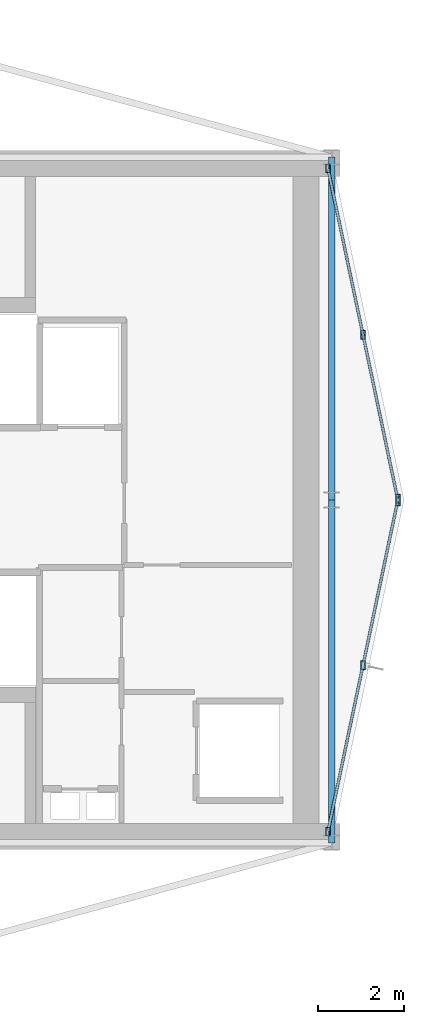
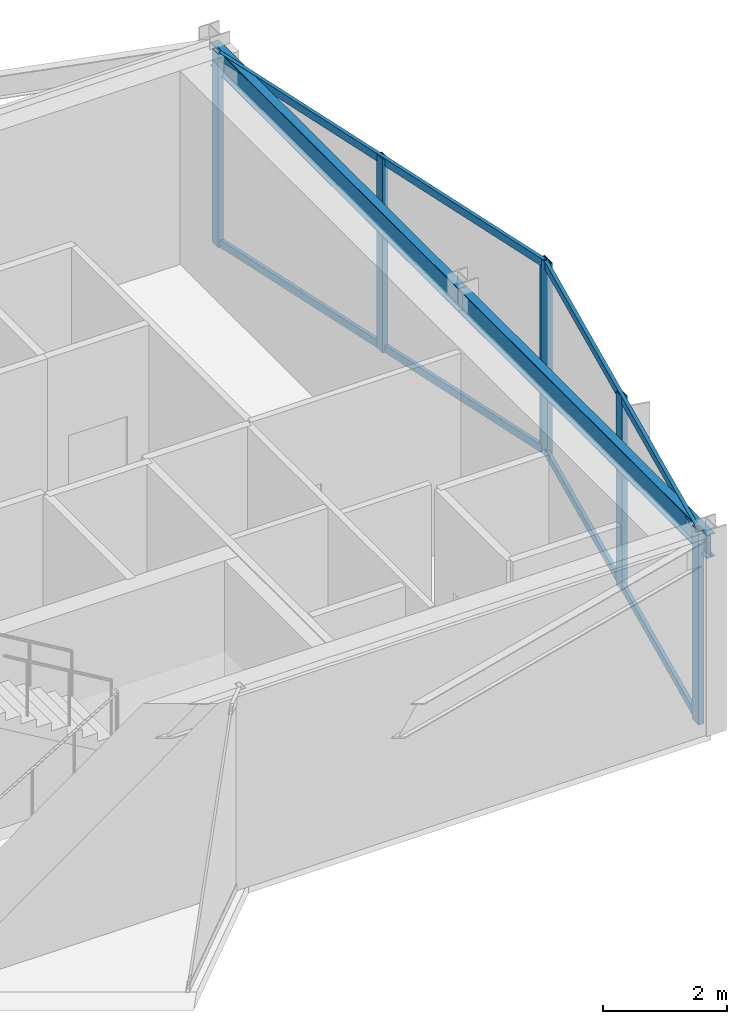
# One storey, part 7 of 13: 10 members, 2 beams, 2 elements without a shape of their own.
"""IFC4 building model written with IfcOpenShell, lengths in metres."""

import ifcopenshell
import ifcopenshell.guid

model = None  # the IFC model being written
_history = None  # IfcOwnerHistory: only IFC2X3 demands one
_inside = {}  # id of a spatial element -> (the spatial element, [elements in it])
_under = {}  # id of a project, library or spatial element -> (it, [spatial elements below it])
_declared = {}  # id of a project -> (the project, [libraries it declares])
_typed = {}  # id of a type object -> (the type object, [elements of that type])
_made_of = {}  # id of a material, layer set ... -> (it, [elements and type objects made of it])


def new_model(schema):
    """Start an empty IFC model of exactly this schema.

    Asked for "IFC4X3", IfcOpenShell would pick the latest addendum, in which some entities
    have other attributes; the version numbers below select the first issue.
    IFC2X3 requires an IfcOwnerHistory on every rooted entity: one is made here for all.
    """
    global model, _history
    if schema == "IFC4X3":
        model = ifcopenshell.file(schema_version=(4, 3, 0, 0))
    else:
        model = ifcopenshell.file(schema=schema)
    _inside.clear()
    _under.clear()
    _declared.clear()
    _typed.clear()
    _made_of.clear()
    _history = None
    if model.schema == "IFC2X3":
        org = make("IfcOrganization", Name="unknown")
        user = make(
            "IfcPersonAndOrganization",
            ThePerson=make("IfcPerson", FamilyName="unknown"),
            TheOrganization=org,
        )
        app = make(
            "IfcApplication",
            ApplicationDeveloper=org,
            Version="unknown",
            ApplicationFullName="unknown",
            ApplicationIdentifier="unknown",
        )
        _history = make(
            "IfcOwnerHistory",
            OwningUser=user,
            OwningApplication=app,
            ChangeAction="ADDED",
            CreationDate=0,
        )
    return model


def make(cls, **values):
    """One entity of the class cls with the attributes given. An attribute that is None is left unset."""
    return model.create_entity(
        cls, **{name: value for name, value in values.items() if value is not None}
    )


def rooted(cls, **values):
    """An entity with a GlobalId (a new one), such as an element, a storey or a relation."""
    return make(cls, GlobalId=ifcopenshell.guid.new(), OwnerHistory=_history, **values)


def si_unit(unit_type, name, prefix=None):
    """IfcSIUnit, for example si_unit("LENGTHUNIT", "METRE", prefix="MILLI")."""
    return make("IfcSIUnit", UnitType=unit_type, Prefix=prefix, Name=name)


def assignment(units):
    """IfcUnitAssignment: the units of a project."""
    return None if units is None else make("IfcUnitAssignment", Units=units)


def point(xyz):
    """IfcCartesianPoint."""
    return None if xyz is None else make("IfcCartesianPoint", Coordinates=xyz)


def direction(xyz):
    """IfcDirection."""
    return None if xyz is None else make("IfcDirection", DirectionRatios=xyz)


def frame(location, z_axis=None, x_axis=None):
    """IfcAxis2Placement3D, a coordinate frame: its origin and axes. An axis left out is left unset."""
    return make(
        "IfcAxis2Placement3D",
        Location=point(location),
        Axis=direction(z_axis),
        RefDirection=direction(x_axis),
    )


def frame_2d(location, x_axis=None):
    """IfcAxis2Placement2D, a coordinate frame in the plane: its origin and x axis."""
    return make(
        "IfcAxis2Placement2D", Location=point(location), RefDirection=direction(x_axis)
    )


def origin():
    """The frame at (0, 0, 0) with its axes left unset."""
    return frame((0.0, 0.0, 0.0))


def origin_2d():
    """The frame at (0, 0) in the plane with its x axis left unset."""
    return frame_2d((0.0, 0.0))


def place(relative_to, where):
    """IfcLocalPlacement: puts the frame where relative to a parent placement (None: the world)."""
    return make(
        "IfcLocalPlacement", PlacementRelTo=relative_to, RelativePlacement=where
    )


def context(
    kind, dimensions, precision=None, world=None, true_north=None, identifier=None
):
    """IfcGeometricRepresentationContext, for example the 3D "Model" context."""
    return make(
        "IfcGeometricRepresentationContext",
        ContextIdentifier=identifier,
        ContextType=kind,
        CoordinateSpaceDimension=dimensions,
        Precision=precision,
        WorldCoordinateSystem=world,
        TrueNorth=true_north,
    )


def subcontext(parent, identifier, kind, view, scale=None):
    """IfcGeometricRepresentationSubContext, for example "Body" below "Model"."""
    return make(
        "IfcGeometricRepresentationSubContext",
        ContextIdentifier=identifier,
        ContextType=kind,
        ParentContext=parent,
        TargetScale=scale,
        TargetView=view,
    )


def project(units=None, contexts=None):
    """IfcProject with its units and contexts."""
    return rooted(
        "IfcProject",
        Name="project",
        RepresentationContexts=contexts,
        UnitsInContext=assignment(units),
    )


def spatial(cls, under=None, at=None, **own):
    """A site, building, storey or space (cls), placed at a placement, below another one or the project."""
    s = rooted(cls, ObjectPlacement=at, **own)
    if under is not None:
        _under.setdefault(under.id(), (under, []))[1].append(s)
    return s


def profile(cls, at=None, kind="AREA", **sizes):
    """A parametric profile (cls). Its sizes go by their IFC names, for example OverallWidth=200.0."""
    return make(cls, ProfileType=kind, Position=at, **sizes)


def hollow_rectangle(**sizes):
    """IfcRectangleHollowProfileDef."""
    return profile("IfcRectangleHollowProfileDef", **sizes)


def i_section(**sizes):
    """IfcIShapeProfileDef."""
    return profile("IfcIShapeProfileDef", **sizes)


def extrude(swept, where, along, depth):
    """IfcExtrudedAreaSolid: the profile swept, set in the frame where, extruded along a direction by depth."""
    return make(
        "IfcExtrudedAreaSolid",
        SweptArea=swept,
        Position=where,
        ExtrudedDirection=direction(along),
        Depth=depth,
    )


def shape(context_of_items, identifier, shape_type, items):
    """IfcShapeRepresentation: the items that make up one representation, for example the "Body"."""
    return make(
        "IfcShapeRepresentation",
        ContextOfItems=context_of_items,
        RepresentationIdentifier=identifier,
        RepresentationType=shape_type,
        Items=items,
    )


def material(Name=None, Category=None):
    """IfcMaterial."""
    return make("IfcMaterial", Name=Name, Category=Category)


def layer(
    of_material, thickness, ventilated=None, Name=None, Category=None, Priority=None
):
    """IfcMaterialLayer: one layer of a wall or slab, of a material (None: an air gap)."""
    return make(
        "IfcMaterialLayer",
        Material=of_material,
        LayerThickness=thickness,
        IsVentilated=ventilated,
        Name=Name,
        Category=Category,
        Priority=Priority,
    )


def layer_set(layers, Name=None):
    """IfcMaterialLayerSet."""
    return make("IfcMaterialLayerSet", MaterialLayers=layers, LayerSetName=Name)


def material_profile(
    of_material, cross_section, Name=None, Category=None, Priority=None
):
    """IfcMaterialProfile: a cross section and its material."""
    return make(
        "IfcMaterialProfile",
        Name=Name,
        Material=of_material,
        Profile=cross_section,
        Priority=Priority,
        Category=Category,
    )


def profile_set(profiles, Name=None, composite=None):
    """IfcMaterialProfileSet."""
    return make(
        "IfcMaterialProfileSet",
        Name=Name,
        MaterialProfiles=profiles,
        CompositeProfile=composite,
    )


def made_of(thing, what):
    """Note that an element or type object is made of a material, layer set ...; save() writes the relation."""
    if what is not None:
        _made_of.setdefault(what.id(), (what, []))[1].append(thing)
    return thing


def type_object(cls, material=None, **own):
    """A type object (cls), such as IfcWallType, which elements share."""
    return made_of(rooted(cls, **own), material)


def element(
    cls,
    number,
    at=None,
    inside=None,
    cuts=None,
    type_object=None,
    material=None,
    context=None,
    identifier="Body",
    shape_type=None,
    held_by="IfcProductDefinitionShape",
    body=None,
    shapes=None,
    **own,
):
    """One element of the class cls, such as IfcWall. Its Tag is "e" and its number.

    at: its placement. inside: the storey or other place that contains it. cuts: it is an
    opening in that element (IfcRelVoidsElement). A single representation is given by context,
    identifier, shape_type and body (its items); several are given by shapes. held_by: the class
    of the entity that holds the representations. save() writes the other relations.
    """
    e = rooted(cls, Tag="e%d" % number, ObjectPlacement=at, **own)
    if body is not None:
        shapes = [shape(context, identifier, shape_type, body)]
    if shapes is not None:
        e.Representation = make(held_by, Representations=shapes)
    if inside is not None:
        _inside.setdefault(inside.id(), (inside, []))[1].append(e)
    if cuts is not None:
        rooted(
            "IfcRelVoidsElement", RelatingBuildingElement=cuts, RelatedOpeningElement=e
        )
    if type_object is not None:
        _typed.setdefault(type_object.id(), (type_object, []))[1].append(e)
    return made_of(e, material)


def aggregate(whole, parts):
    """IfcRelAggregates: a whole, such as a stair, and the parts it consists of."""
    return rooted("IfcRelAggregates", RelatingObject=whole, RelatedObjects=parts)


def save(model, path):
    """Write the relations noted so far, then the file.

    IfcRelAggregates (storeys below a building ...), IfcRelContainedInSpatialStructure (elements
    in a storey), IfcRelDefinesByType, IfcRelAssociatesMaterial and IfcRelDeclares: one each for
    every whole, place, type object, material and project.
    """
    for whole, parts in _under.values():
        aggregate(whole, parts)
    for where, things in _inside.values():
        rooted(
            "IfcRelContainedInSpatialStructure",
            RelatedElements=things,
            RelatingStructure=where,
        )
    for kind, things in _typed.values():
        rooted("IfcRelDefinesByType", RelatedObjects=things, RelatingType=kind)
    for what, things in _made_of.values():
        rooted("IfcRelAssociatesMaterial", RelatedObjects=things, RelatingMaterial=what)
    for by, libraries in _declared.values():
        rooted("IfcRelDeclares", RelatingContext=by, RelatedDefinitions=libraries)
    model.write(path)


model = new_model("IFC4")

# Units and contexts
model_context = context("Model", 3, precision=1e-05, world=origin(), true_north=direction((0.0, 1.0)))
body_context = subcontext(model_context, "Body", "Model", "MODEL_VIEW")
ifc_project = project(units=[si_unit("LENGTHUNIT", "METRE"), si_unit("AREAUNIT", "SQUARE_METRE"), si_unit("VOLUMEUNIT", "CUBIC_METRE"), si_unit("PLANEANGLEUNIT", "RADIAN"), si_unit("MASSUNIT", "GRAM", prefix="KILO")], contexts=[model_context])

# Site, building, storey
site_placement = place(None, origin())
site = spatial("IfcSite", under=ifc_project, at=site_placement, CompositionType="ELEMENT")
building_placement = place(site_placement, origin())
building = spatial("IfcBuilding", under=site, at=building_placement, Name="Veymaron Broadcast Tower", CompositionType="ELEMENT")
storey_placement = place(building_placement, frame((0.0, 0.0, 303.300048828125)))
storey = spatial("IfcBuildingStorey", under=building, at=storey_placement, Name="L71", CompositionType="ELEMENT", Elevation=303.300048828125)

# Beams
ifc_material_1 = material(Name="Structural steel ASTM A992 Gr 50", Category="steel")
ifc_material_profile_1 = material_profile(ifc_material_1, i_section(OverallWidth=0.154052734375, OverallDepth=0.458984375, WebThickness=0.009033203125, FlangeThickness=0.015380859375, at=origin_2d()), Name="W460X68")
ifc_profile_set_1 = profile_set([ifc_material_profile_1], Name="Structural steel ASTM A992 Gr 50")
beam_type = type_object("IfcBeamType", Name="BM-SP2", PredefinedType="SPANDREL", material=ifc_profile_set_1)
for number, where, z_axis, x_axis, name in (
    (1, (54.60009765625, 16.0, 3.58056640625), (0.0, 1.0, 0.0), (-1.0, 0.0, 0.0), "L71 primary structural floor girder"),
    (2, (54.60009765625, 24.0, 3.58056640625), (0.0, 1.0, 0.0), (-1.0, 0.0, 0.0), "L71 primary structural floor girder"),
):
    element("IfcBeam", number, at=place(storey_placement, frame(where, z_axis=z_axis, x_axis=x_axis)), inside=storey, type_object=beam_type, Name=name, PredefinedType="SPANDREL", context=body_context, shape_type="SweptSolid", body=[
        extrude(i_section(OverallWidth=0.154052734375, OverallDepth=0.458984375, WebThickness=0.009033203125, FlangeThickness=0.015380859375, at=origin_2d()), origin(), (0.0, 0.0, 1.0), 8.0),
    ])

# Curtain wall, members
ifc_material_2 = material(Name="Anodised aluminium AA 6063-T6 and laminated low-E dark glass", Category="aluminium")
ifc_layer = layer(ifc_material_2, 0.179931640625)
ifc_layer_set = layer_set([ifc_layer], Name="Anodised aluminium AA 6063-T6 and laminated low-E dark glass")
curtain_wall_type = type_object("IfcCurtainWallType", Name="CW-SYS-06", PredefinedType="NOTDEFINED", material=ifc_layer_set)
curtain_wall_1_placement = place(storey_placement, origin())
curtain_wall_1 = element("IfcCurtainWall", 3, at=curtain_wall_1_placement, inside=storey, type_object=curtain_wall_type, Name="L71 dark-glass curtain wall CW-L71-E2-1", PredefinedType="NOTDEFINED")
ifc_material_3 = material(Name="Anodised aluminium AA 6063-T6", Category="aluminium")
ifc_material_profile_2 = material_profile(ifc_material_3, hollow_rectangle(XDim=0.10009765625, YDim=0.199951171875, WallThickness=0.010009765625, at=origin_2d()), Name="RHS200X100X10")
ifc_profile_set_2 = profile_set([ifc_material_profile_2], Name="Anodised aluminium AA 6063-T6")
member_type_1 = type_object("IfcMemberType", Name="CW-MUL-01", PredefinedType="MULLION", material=ifc_profile_set_2)
member_1_placement = place(storey_placement, frame((54.51171875, 16.260498046875, 0.0), z_axis=(0.0, 0.0, 1.0), x_axis=(1.0, 0.0, 0.0)))
member_1 = element("IfcMember", 4, at=member_1_placement, type_object=member_type_1, Name="CW-L71-E2-1 mullion 0", PredefinedType="MULLION", context=body_context, shape_type="SweptSolid", body=[
    extrude(hollow_rectangle(XDim=0.10009765625, YDim=0.199951171875, WallThickness=0.010009765625, at=origin_2d()), origin(), (0.0, 0.0, 1.0), 3.81005859375),
])
member_2_placement = place(storey_placement, frame((55.33154296875, 20.14453125, 0.0), z_axis=(0.0, 0.0, 1.0), x_axis=(1.0, 0.0, 0.0)))
member_2 = element("IfcMember", 5, at=member_2_placement, type_object=member_type_1, Name="CW-L71-E2-1 mullion 1", PredefinedType="MULLION", context=body_context, shape_type="SweptSolid", body=[
    extrude(hollow_rectangle(XDim=0.10009765625, YDim=0.199951171875, WallThickness=0.010009765625, at=origin_2d()), origin(), (0.0, 0.0, 1.0), 3.81005859375),
])
member_3_placement = place(storey_placement, frame((56.1513671875, 24.02880859375, 0.0), z_axis=(0.0, 0.0, 1.0), x_axis=(1.0, 0.0, 0.0)))
member_3 = element("IfcMember", 6, at=member_3_placement, type_object=member_type_1, Name="CW-L71-E2-1 mullion 2", PredefinedType="MULLION", context=body_context, shape_type="SweptSolid", body=[
    extrude(hollow_rectangle(XDim=0.10009765625, YDim=0.199951171875, WallThickness=0.010009765625, at=origin_2d()), origin(), (0.0, 0.0, 1.0), 3.81005859375),
])

curtain_wall_2_placement = place(storey_placement, origin())
curtain_wall_2 = element("IfcCurtainWall", 7, at=curtain_wall_2_placement, inside=storey, type_object=curtain_wall_type, Name="L71 dark-glass curtain wall CW-L71-E3-1", PredefinedType="NOTDEFINED")
member_4_placement = place(storey_placement, frame((56.1513671875, 23.97119140625, 0.0), z_axis=(0.0, 0.0, 1.0), x_axis=(1.0, 0.0, 0.0)))
member_4 = element("IfcMember", 8, at=member_4_placement, type_object=member_type_1, Name="CW-L71-E3-1 mullion 0", PredefinedType="MULLION", context=body_context, shape_type="SweptSolid", body=[
    extrude(hollow_rectangle(XDim=0.10009765625, YDim=0.199951171875, WallThickness=0.010009765625, at=origin_2d()), origin(), (0.0, 0.0, 1.0), 3.81005859375),
])
member_5_placement = place(storey_placement, frame((55.33154296875, 27.85546875, 0.0), z_axis=(0.0, 0.0, 1.0), x_axis=(1.0, 0.0, 0.0)))
member_5 = element("IfcMember", 9, at=member_5_placement, type_object=member_type_1, Name="CW-L71-E3-1 mullion 1", PredefinedType="MULLION", context=body_context, shape_type="SweptSolid", body=[
    extrude(hollow_rectangle(XDim=0.10009765625, YDim=0.199951171875, WallThickness=0.010009765625, at=origin_2d()), origin(), (0.0, 0.0, 1.0), 3.81005859375),
])
member_6_placement = place(storey_placement, frame((54.51171875, 31.739501953125, 0.0), z_axis=(0.0, 0.0, 1.0), x_axis=(1.0, 0.0, 0.0)))
member_6 = element("IfcMember", 10, at=member_6_placement, type_object=member_type_1, Name="CW-L71-E3-1 mullion 2", PredefinedType="MULLION", context=body_context, shape_type="SweptSolid", body=[
    extrude(hollow_rectangle(XDim=0.10009765625, YDim=0.199951171875, WallThickness=0.010009765625, at=origin_2d()), origin(), (0.0, 0.0, 1.0), 3.81005859375),
])

# Member
ifc_material_profile_3 = material_profile(ifc_material_3, hollow_rectangle(XDim=0.06494140625, YDim=0.14990234375, WallThickness=0.00390625, at=origin_2d()), Name="AL150X65X4")
ifc_profile_set_3 = profile_set([ifc_material_profile_3], Name="Anodised aluminium AA 6063-T6")
member_type_2 = type_object("IfcMemberType", Name="CW-TRN-01", PredefinedType="USERDEFINED", material=ifc_profile_set_3)
member_7_placement = place(storey_placement, frame((54.522216796875, 16.309326171875, 0.070068359375), z_axis=(0.206501703547, 0.978446240951, 0.0), x_axis=(-0.978446240951, 0.206501703547, 0.0)))
member_7 = element("IfcMember", 11, at=member_7_placement, type_object=member_type_2, Name="CW-L71-E2-1 transom B", ObjectType="TRANSOM", PredefinedType="USERDEFINED", context=body_context, shape_type="SweptSolid", body=[
    extrude(hollow_rectangle(XDim=0.06494140625, YDim=0.14990234375, WallThickness=0.00390625, at=origin_2d()), origin(), (0.0, 0.0, 1.0), 7.839599609375),
])

member_8_placement = place(storey_placement, frame((54.522216796875, 16.309326171875, 3.739990234375), z_axis=(0.206501703547, 0.978446240951, 0.0), x_axis=(-0.978446240951, 0.206501703547, 0.0)))
member_8 = element("IfcMember", 12, at=member_8_placement, type_object=member_type_2, Name="CW-L71-E2-1 transom T", ObjectType="TRANSOM", PredefinedType="USERDEFINED", context=body_context, shape_type="SweptSolid", body=[
    extrude(hollow_rectangle(XDim=0.06494140625, YDim=0.14990234375, WallThickness=0.00390625, at=origin_2d()), origin(), (0.0, 0.0, 1.0), 7.839599609375),
])

aggregate(curtain_wall_1, [member_1, member_2, member_3, member_7, member_8])

member_9_placement = place(storey_placement, frame((56.14111328125, 24.02001953125, 0.070068359375), z_axis=(-0.206501703547, 0.978446240951, 0.0), x_axis=(-0.978446240951, -0.206501703547, 0.0)))
member_9 = element("IfcMember", 13, at=member_9_placement, type_object=member_type_2, Name="CW-L71-E3-1 transom B", ObjectType="TRANSOM", PredefinedType="USERDEFINED", context=body_context, shape_type="SweptSolid", body=[
    extrude(hollow_rectangle(XDim=0.06494140625, YDim=0.14990234375, WallThickness=0.00390625, at=origin_2d()), origin(), (0.0, 0.0, 1.0), 7.839599609375),
])

member_10_placement = place(storey_placement, frame((56.14111328125, 24.02001953125, 3.739990234375), z_axis=(-0.206501703547, 0.978446240951, 0.0), x_axis=(-0.978446240951, -0.206501703547, 0.0)))
member_10 = element("IfcMember", 14, at=member_10_placement, type_object=member_type_2, Name="CW-L71-E3-1 transom T", ObjectType="TRANSOM", PredefinedType="USERDEFINED", context=body_context, shape_type="SweptSolid", body=[
    extrude(hollow_rectangle(XDim=0.06494140625, YDim=0.14990234375, WallThickness=0.00390625, at=origin_2d()), origin(), (0.0, 0.0, 1.0), 7.839599609375),
])

aggregate(curtain_wall_2, [member_4, member_5, member_6, member_9, member_10])

save(model, "model.ifc")
